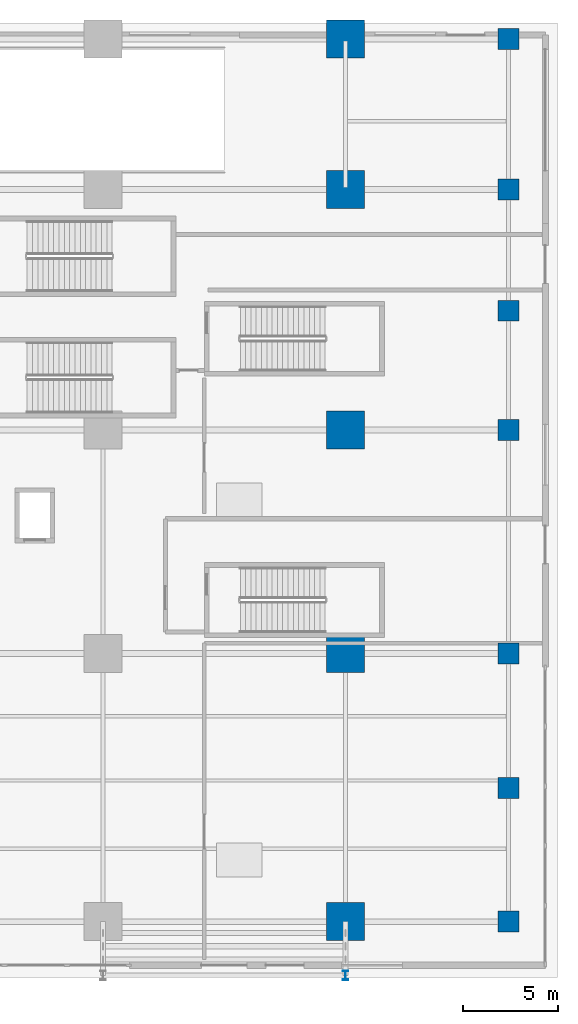
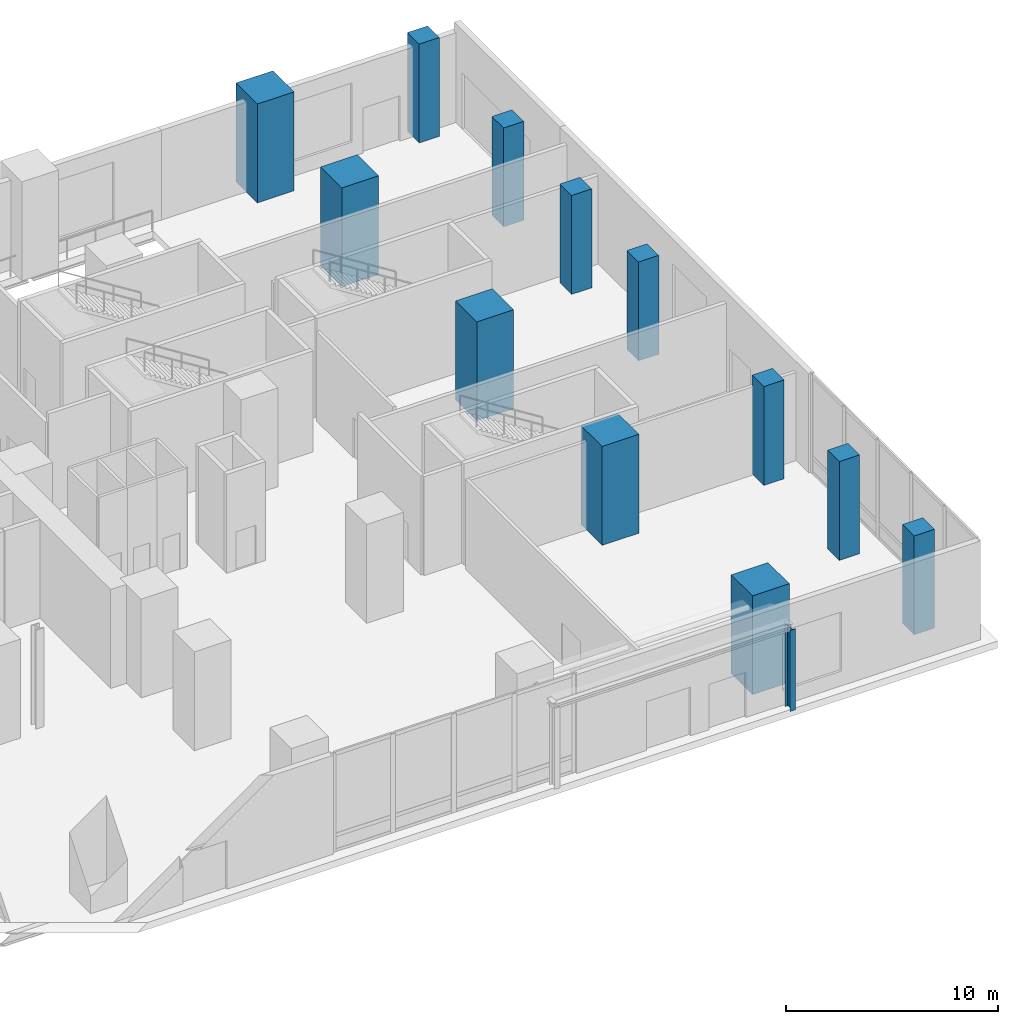
# One storey, part 4 of 25: 13 columns.
"""IFC4 building model written with IfcOpenShell, lengths in metres."""

from ifc_helpers import new_model, si_unit, direction, frame, origin, origin_2d, place, context, subcontext, project, spatial, rectangle, i_section, extrude, source, transform, mapped, material, material_profile, profile_set, type_object, element, save


model = new_model("IFC4")

# Units and contexts
model_context = context("Model", 3, precision=1e-05, world=origin(), true_north=direction((0.0, 1.0)))
body_context = subcontext(model_context, "Body", "Model", "MODEL_VIEW")
ifc_project = project(units=[si_unit("LENGTHUNIT", "METRE"), si_unit("AREAUNIT", "SQUARE_METRE"), si_unit("VOLUMEUNIT", "CUBIC_METRE"), si_unit("PLANEANGLEUNIT", "RADIAN"), si_unit("MASSUNIT", "GRAM", prefix="KILO")], contexts=[model_context])

# Site, building, storey
site_placement = place(None, origin())
site = spatial("IfcSite", under=ifc_project, at=site_placement, CompositionType="ELEMENT")
building_placement = place(site_placement, origin())
building = spatial("IfcBuilding", under=site, at=building_placement, Name="Vardaveli Station Tower", CompositionType="ELEMENT")
storey_placement = place(building_placement, origin())
storey = spatial("IfcBuildingStorey", under=building, at=storey_placement, Name="L01", CompositionType="ELEMENT", Elevation=0.0)

# Columns
ifc_material_1 = material(Name="Concrete C70/85", Category="concrete")
ifc_material_profile_1 = material_profile(ifc_material_1, rectangle(XDim=2.0, YDim=2.0, at=origin_2d()), Name="SC 2000x2000")
ifc_profile_set_1 = profile_set([ifc_material_profile_1], Name="Concrete C70/85")
column_type_1 = type_object("IfcColumnType", Name="COL-SC-2000", PredefinedType="COLUMN", material=ifc_profile_set_1)
shared_shape_1 = source(origin(), body_context, "Body", "SweptSolid", [
    extrude(rectangle(XDim=2.0, YDim=2.0, at=origin_2d()), origin(), (0.0, 0.0, 1.0), 5.679931640625),
])
for number, where, z_axis, x_axis, name in (
    (1, (72.800048828125, 2.949951171875, 0.0), (0.0, 0.0, 1.0), (1.0, 0.0, 0.0), "COL-L01-SC07"),
    (2, (72.800048828125, 17.10009765625, 0.0), (0.0, 0.0, 1.0), (1.0, 0.0, 0.0), "COL-L01-SC15"),
    (3, (72.800048828125, 28.89990234375, 0.0), (0.0, 0.0, 1.0), (1.0, 0.0, 0.0), "COL-L01-SC19"),
    (4, (72.800048828125, 41.60009765625, 0.0), (0.0, 0.0, 1.0), (1.0, 0.0, 0.0), "COL-L01-SC27"),
    (5, (72.800048828125, 49.550048828125, 0.0), (0.0, 0.0, 1.0), (1.0, 0.0, 0.0), "COL-L01-SC36"),
):
    element("IfcColumn", number, at=place(storey_placement, frame(where, z_axis=z_axis, x_axis=x_axis)), inside=storey, type_object=column_type_1, Name=name, PredefinedType="COLUMN", context=body_context, shape_type="MappedRepresentation", body=[
        mapped(shared_shape_1, transform((0.0, 0.0, 0.0), scale=1.0)),
    ])
ifc_material_2 = material(Name="Concrete C60/75", Category="concrete")
ifc_material_profile_2 = material_profile(ifc_material_2, rectangle(XDim=1.10009765625, YDim=1.10009765625, at=origin_2d()), Name="RC 1100x1100")
ifc_profile_set_2 = profile_set([ifc_material_profile_2], Name="Concrete C60/75")
column_type_2 = type_object("IfcColumnType", Name="COL-RC-1100", PredefinedType="COLUMN", material=ifc_profile_set_2)
shared_shape_2 = source(origin(), body_context, "Body", "SweptSolid", [
    extrude(rectangle(XDim=1.10009765625, YDim=1.10009765625, at=origin_2d()), origin(), (0.0, 0.0, 1.0), 5.679931640625),
])
for number, where, z_axis, x_axis, name in (
    (6, (81.39990234375, 2.949951171875, 0.0), (0.0, 0.0, 1.0), (1.0, 0.0, 0.0), "COL-L01-EC01"),
    (7, (81.39990234375, 10.0, 0.0), (0.0, 0.0, 1.0), (1.0, 0.0, 0.0), "COL-L01-EC02"),
    (8, (81.39990234375, 17.10009765625, 0.0), (0.0, 0.0, 1.0), (1.0, 0.0, 0.0), "COL-L01-EC03"),
    (9, (81.39990234375, 28.89990234375, 0.0), (0.0, 0.0, 1.0), (1.0, 0.0, 0.0), "COL-L01-EC04"),
    (10, (81.39990234375, 35.199951171875, 0.0), (0.0, 0.0, 1.0), (1.0, 0.0, 0.0), "COL-L01-EC05"),
    (11, (81.39990234375, 41.60009765625, 0.0), (0.0, 0.0, 1.0), (1.0, 0.0, 0.0), "COL-L01-EC06"),
    (12, (81.39990234375, 49.550048828125, 0.0), (0.0, 0.0, 1.0), (1.0, 0.0, 0.0), "COL-L01-EC07"),
):
    element("IfcColumn", number, at=place(storey_placement, frame(where, z_axis=z_axis, x_axis=x_axis)), inside=storey, type_object=column_type_2, Name=name, PredefinedType="COLUMN", context=body_context, shape_type="MappedRepresentation", body=[
        mapped(shared_shape_2, transform((0.0, 0.0, 0.0), scale=1.0)),
    ])
ifc_material_3 = material(Name="Structural steel S355J2", Category="steel")
ifc_material_profile_3 = material_profile(ifc_material_3, i_section(OverallWidth=0.300048828125, OverallDepth=0.5, WebThickness=0.014404296875, FlangeThickness=0.028076171875, FilletRadius=0.027099609375, at=origin_2d()), Name="HEB 500")
ifc_profile_set_3 = profile_set([ifc_material_profile_3], Name="Structural steel S355J2")
column_type_3 = type_object("IfcColumnType", Name="COL-HEB500", PredefinedType="COLUMN", material=ifc_profile_set_3)
shared_shape_3 = source(origin(), body_context, "Body", "SweptSolid", [
    extrude(i_section(OverallWidth=0.300048828125, OverallDepth=0.5, WebThickness=0.014404296875, FlangeThickness=0.028076171875, FilletRadius=0.027099609375, at=origin_2d()), origin(), (0.0, 0.0, 1.0), 4.64990234375),
])
column_placement = place(storey_placement, frame((72.800048828125, 0.1201171875, 0.0), z_axis=(0.0, 0.0, 1.0), x_axis=(1.0, 0.0, 0.0)))
element("IfcColumn", 13, at=column_placement, inside=storey, type_object=column_type_3, Name="CNC-S2-2", PredefinedType="COLUMN", context=body_context, shape_type="MappedRepresentation", body=[
    mapped(shared_shape_3, transform((0.0, 0.0, 0.0), scale=1.0)),
])

save(model, "model.ifc")
